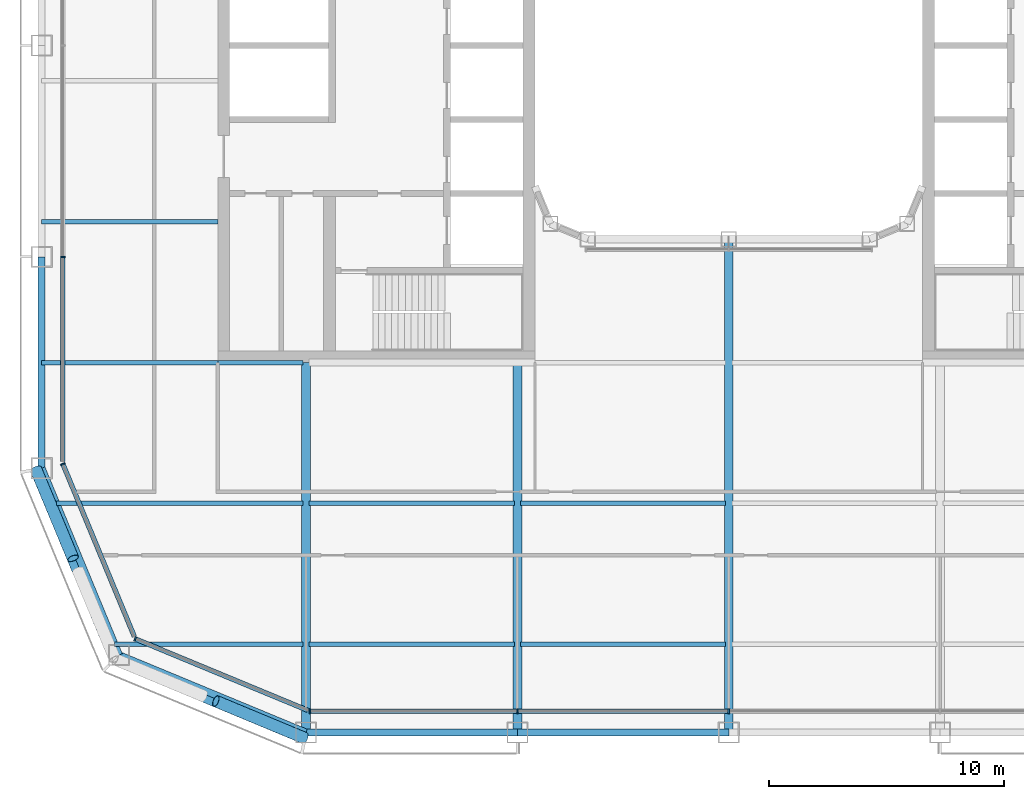
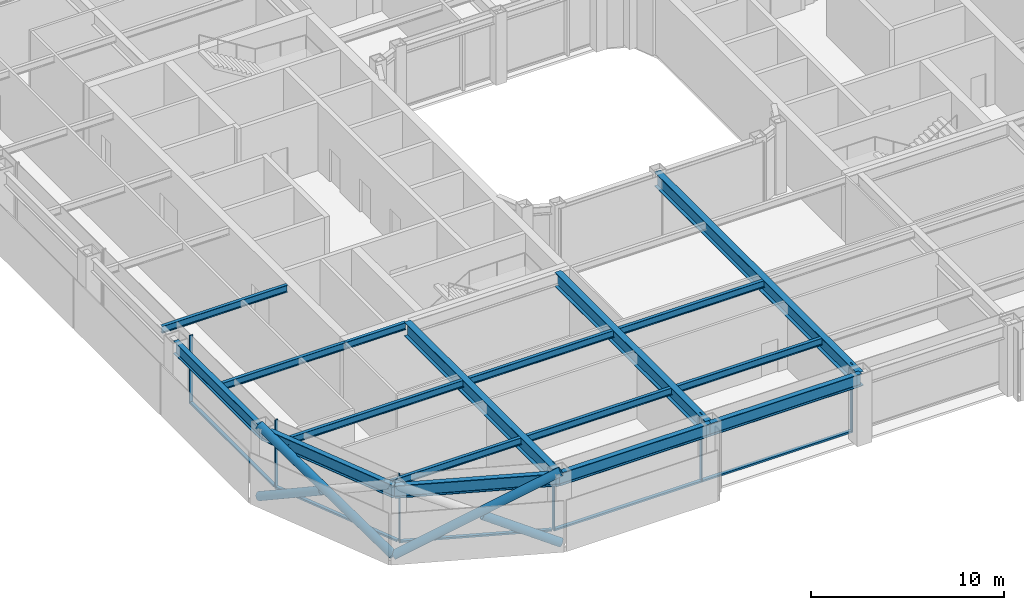
# One storey, part 2 of 21: 17 beams, 15 members, 4 elements without a shape of their own.
"""IFC4 building model written with IfcOpenShell, lengths in metres."""

from ifc_helpers import new_model, si_unit, direction, frame, origin, origin_2d, place, context, subcontext, project, spatial, rectangle, hollow_circle, i_section, extrude, material, layer, layer_set, material_profile, profile_set, type_object, element, aggregate, save


model = new_model("IFC4")

# Units and contexts
model_context = context("Model", 3, precision=1e-05, world=origin(), true_north=direction((0.0, 1.0)))
body_context = subcontext(model_context, "Body", "Model", "MODEL_VIEW")
ifc_project = project(units=[si_unit("LENGTHUNIT", "METRE"), si_unit("AREAUNIT", "SQUARE_METRE"), si_unit("VOLUMEUNIT", "CUBIC_METRE"), si_unit("PLANEANGLEUNIT", "RADIAN"), si_unit("MASSUNIT", "GRAM", prefix="KILO")], contexts=[model_context])

# Site, building, storey
site_placement = place(None, origin())
site = spatial("IfcSite", under=ifc_project, at=site_placement, CompositionType="ELEMENT")
building_placement = place(site_placement, origin())
building = spatial("IfcBuilding", under=site, at=building_placement, Name="Siwar Civic Tower", CompositionType="ELEMENT")
storey_placement = place(building_placement, frame((0.0, 0.0, 176.699951171875)))
storey = spatial("IfcBuildingStorey", under=building, at=storey_placement, Name="L38", CompositionType="ELEMENT", Elevation=176.699951171875)

# Curtain wall, members
ifc_material_1 = material(Name="Aluminium and glass", Category="aluminium")
ifc_layer_1 = layer(ifc_material_1, 0.199951171875)
ifc_layer_set_1 = layer_set([ifc_layer_1], Name="Aluminium and glass")
curtain_wall_type_1 = type_object("IfcCurtainWallType", Name="ENV-CW-B", PredefinedType="NOTDEFINED", material=ifc_layer_set_1)
curtain_wall_1_placement = place(storey_placement, origin())
curtain_wall_1 = element("IfcCurtainWall", 1, at=curtain_wall_1_placement, inside=storey, type_object=curtain_wall_type_1, Name="Curtain wall B S", PredefinedType="NOTDEFINED")
ifc_material_2 = material(Name="Aluminium 6063-T6", Category="aluminium")
ifc_material_profile_1 = material_profile(ifc_material_2, rectangle(XDim=0.199951171875, YDim=0.06494140625, at=origin_2d()), Name="AL 200x65")
ifc_profile_set_1 = profile_set([ifc_material_profile_1], Name="Aluminium 6063-T6")
member_type_1 = type_object("IfcMemberType", Name="ENV-MULLION-B", PredefinedType="MULLION", material=ifc_profile_set_1)
member_1_placement = place(storey_placement, frame((-17.821044921875, -28.35009765625, 0.0), z_axis=(0.0, 0.0, 1.0), x_axis=(0.0, 1.0, 0.0)))
member_1 = element("IfcMember", 2, at=member_1_placement, type_object=member_type_1, Name="Mullion B S 1", PredefinedType="MULLION", context=body_context, shape_type="SweptSolid", body=[
    extrude(rectangle(XDim=0.199951171875, YDim=0.06494140625, at=origin_2d()), origin(), (0.0, 0.0, 1.0), 4.300048828125),
])
member_2_placement = place(storey_placement, frame((-9.0, -28.35009765625, 0.0), z_axis=(0.0, 0.0, 1.0), x_axis=(0.0, 1.0, 0.0)))
member_2 = element("IfcMember", 3, at=member_2_placement, type_object=member_type_1, Name="Mullion B S 2", PredefinedType="MULLION", context=body_context, shape_type="SweptSolid", body=[
    extrude(rectangle(XDim=0.199951171875, YDim=0.06494140625, at=origin_2d()), origin(), (0.0, 0.0, 1.0), 4.300048828125),
])
member_3_placement = place(storey_placement, frame((0.0, -28.35009765625, 0.0), z_axis=(0.0, 0.0, 1.0), x_axis=(0.0, 1.0, 0.0)))
member_3 = element("IfcMember", 4, at=member_3_placement, type_object=member_type_1, Name="Mullion B S 3", PredefinedType="MULLION", context=body_context, shape_type="SweptSolid", body=[
    extrude(rectangle(XDim=0.199951171875, YDim=0.06494140625, at=origin_2d()), origin(), (0.0, 0.0, 1.0), 4.300048828125),
])

# Curtain wall, member
curtain_wall_2_placement = place(storey_placement, origin())
curtain_wall_2 = element("IfcCurtainWall", 5, at=curtain_wall_2_placement, inside=storey, type_object=curtain_wall_type_1, Name="Curtain wall B W", PredefinedType="NOTDEFINED")
member_4_placement = place(storey_placement, frame((-28.35009765625, -9.0, 0.0), z_axis=(0.0, 0.0, 1.0), x_axis=(1.0, 0.0, 0.0)))
member_4 = element("IfcMember", 6, at=member_4_placement, type_object=member_type_1, Name="Mullion B W 4", PredefinedType="MULLION", context=body_context, shape_type="SweptSolid", body=[
    extrude(rectangle(XDim=0.199951171875, YDim=0.06494140625, at=origin_2d()), origin(), (0.0, 0.0, 1.0), 4.300048828125),
])

ifc_material_3 = material(Name="Aluminium clad insulated panel", Category="aluminium")
ifc_layer_2 = layer(ifc_material_3, 0.199951171875)
ifc_layer_set_2 = layer_set([ifc_layer_2], Name="Aluminium clad insulated panel")
curtain_wall_type_2 = type_object("IfcCurtainWallType", Name="ENV-CW-BX", PredefinedType="NOTDEFINED", material=ifc_layer_set_2)
curtain_wall_3_placement = place(storey_placement, origin())
curtain_wall_3 = element("IfcCurtainWall", 7, at=curtain_wall_3_placement, inside=storey, type_object=curtain_wall_type_2, Name="Curtain wall B SW1", PredefinedType="NOTDEFINED")
member_5_placement = place(storey_placement, frame((-28.35009765625, -17.821044921875, 0.0), z_axis=(0.0, 0.0, 1.0), x_axis=(0.923879532511, 0.382683432365, 0.0)))
member_5 = element("IfcMember", 8, at=member_5_placement, type_object=member_type_1, Name="Mullion B SW1 1", PredefinedType="MULLION", context=body_context, shape_type="SweptSolid", body=[
    extrude(rectangle(XDim=0.199951171875, YDim=0.06494140625, at=origin_2d()), origin(), (0.0, 0.0, 1.0), 4.300048828125),
])

curtain_wall_4_placement = place(storey_placement, origin())
curtain_wall_4 = element("IfcCurtainWall", 9, at=curtain_wall_4_placement, inside=storey, type_object=curtain_wall_type_2, Name="Curtain wall B SW2", PredefinedType="NOTDEFINED")
member_6_placement = place(storey_placement, frame((-25.26611328125, -25.26611328125, 0.0), z_axis=(0.0, 0.0, 1.0), x_axis=(0.382683432365, 0.923879532511, 0.0)))
member_6 = element("IfcMember", 10, at=member_6_placement, type_object=member_type_1, Name="Mullion B SW2 1", PredefinedType="MULLION", context=body_context, shape_type="SweptSolid", body=[
    extrude(rectangle(XDim=0.199951171875, YDim=0.06494140625, at=origin_2d()), origin(), (0.0, 0.0, 1.0), 4.300048828125),
])

# Member
ifc_material_4 = material(Name="Aluminium 6063-T6", Category="aluminium")
ifc_material_profile_2 = material_profile(ifc_material_4, rectangle(XDim=0.199951171875, YDim=0.110107421875, at=origin_2d()), Name="AL 200x110")
ifc_profile_set_2 = profile_set([ifc_material_profile_2], Name="Aluminium 6063-T6")
member_type_2 = type_object("IfcMemberType", Name="ENV-TRANSOM-B", PredefinedType="USERDEFINED", material=ifc_profile_set_2)
member_7_placement = place(storey_placement, frame((-17.78857421875, -28.35009765625, 0.054931640625), z_axis=(1.0, 0.0, 0.0), x_axis=(0.0, 1.0, 0.0)))
member_7 = element("IfcMember", 11, at=member_7_placement, type_object=member_type_2, Name="Transom B S 1", ObjectType="TRANSOM", PredefinedType="USERDEFINED", context=body_context, shape_type="SweptSolid", body=[
    extrude(rectangle(XDim=0.199951171875, YDim=0.110107421875, at=origin_2d()), origin(), (0.0, 0.0, 1.0), 8.756103515625),
])

member_8_placement = place(storey_placement, frame((-8.967529296875, -28.35009765625, 0.054931640625), z_axis=(1.0, 0.0, 0.0), x_axis=(0.0, 1.0, 0.0)))
member_8 = element("IfcMember", 12, at=member_8_placement, type_object=member_type_2, Name="Transom B S 2", ObjectType="TRANSOM", PredefinedType="USERDEFINED", context=body_context, shape_type="SweptSolid", body=[
    extrude(rectangle(XDim=0.199951171875, YDim=0.110107421875, at=origin_2d()), origin(), (0.0, 0.0, 1.0), 8.93505859375),
])

aggregate(curtain_wall_1, [member_1, member_2, member_3, member_7, member_8])

member_9_placement = place(storey_placement, frame((-28.35009765625, -9.032470703125, 0.054931640625), z_axis=(0.0, -1.0, 0.0), x_axis=(1.0, 0.0, 0.0)))
member_9 = element("IfcMember", 13, at=member_9_placement, type_object=member_type_2, Name="Transom B W 4", ObjectType="TRANSOM", PredefinedType="USERDEFINED", context=body_context, shape_type="SweptSolid", body=[
    extrude(rectangle(XDim=0.199951171875, YDim=0.110107421875, at=origin_2d()), origin(), (0.0, 0.0, 1.0), 8.6748046875),
])

aggregate(curtain_wall_2, [member_4, member_9])

member_10_placement = place(storey_placement, frame((-28.337646484375, -17.85107421875, 0.054931640625), z_axis=(0.382699695651, -0.92387279587, 0.0), x_axis=(0.92387279587, 0.382699695651, 0.0)))
member_10 = element("IfcMember", 14, at=member_10_placement, type_object=member_type_2, Name="Transom B SW1 1", ObjectType="TRANSOM", PredefinedType="USERDEFINED", context=body_context, shape_type="SweptSolid", body=[
    extrude(rectangle(XDim=0.199951171875, YDim=0.110107421875, at=origin_2d()), origin(), (0.0, 0.0, 1.0), 7.912353515625),
])

aggregate(curtain_wall_3, [member_5, member_10])

member_11_placement = place(storey_placement, frame((-25.236083984375, -25.278564453125, 0.054931640625), z_axis=(0.923883705044, -0.382673358825, 0.0), x_axis=(0.382673358825, 0.923883705044, 0.0)))
member_11 = element("IfcMember", 15, at=member_11_placement, type_object=member_type_2, Name="Transom B SW2 1", ObjectType="TRANSOM", PredefinedType="USERDEFINED", context=body_context, shape_type="SweptSolid", body=[
    extrude(rectangle(XDim=0.199951171875, YDim=0.110107421875, at=origin_2d()), origin(), (0.0, 0.0, 1.0), 7.912353515625),
])

aggregate(curtain_wall_4, [member_6, member_11])

# Members
ifc_material_5 = material(Name="Steel S355", Category="steel")
ifc_material_profile_3 = material_profile(ifc_material_5, hollow_circle(Radius=0.25390625, WallThickness=0.02490234375, at=origin_2d()), Name="CHS508x25")
ifc_profile_set_3 = profile_set([ifc_material_profile_3], Name="Steel S355")
member_type_3 = type_object("IfcMemberType", Name="STR-BR-CHS508x25", PredefinedType="BRACE", material=ifc_profile_set_3)
member_12_placement = place(storey_placement, frame((-26.1318359375, -26.1318359375, 0.0), z_axis=(0.821142553604, -0.341671493852, 0.457149315816), x_axis=(0.384163874976, 0.923264922524, 0.0)))
element("IfcMember", 16, at=member_12_placement, inside=storey, type_object=member_type_3, Name="L38/brc/BSW1-17-0-1", PredefinedType="BRACE", context=body_context, shape_type="SweptSolid", body=[
    extrude(hollow_circle(Radius=0.25390625, WallThickness=0.02490234375, at=origin_2d()), origin(), (0.0, 0.0, 1.0), 9.843505859375),
])
member_13_placement = place(storey_placement, frame((-18.048828125, -29.4951171875, 0.0), z_axis=(-0.821126041429, 0.341677318012, 0.457174621391), x_axis=(-0.384176042158, -0.923259859753, 0.0)))
element("IfcMember", 17, at=member_13_placement, inside=storey, type_object=member_type_3, Name="L38/brc/BSW1-17-0-2", PredefinedType="BRACE", context=body_context, shape_type="SweptSolid", body=[
    extrude(hollow_circle(Radius=0.25390625, WallThickness=0.02490234375, at=origin_2d()), origin(), (0.0, 0.0, 1.0), 4.614501953125),
])
member_14_placement = place(storey_placement, frame((-26.1318359375, -26.1318359375, 0.0), z_axis=(-0.341671493852, 0.821142553604, 0.457149315816), x_axis=(-0.923264922524, -0.384163874976, 0.0)))
element("IfcMember", 18, at=member_14_placement, inside=storey, type_object=member_type_3, Name="L38/brc/BSW1-17-0-0", PredefinedType="BRACE", context=body_context, shape_type="SweptSolid", body=[
    extrude(hollow_circle(Radius=0.25390625, WallThickness=0.02490234375, at=origin_2d()), origin(), (0.0, 0.0, 1.0), 9.843505859375),
])
member_15_placement = place(storey_placement, frame((-29.4951171875, -18.048828125, 0.0), z_axis=(0.341677318012, -0.821126041429, 0.457174621391), x_axis=(0.923259859753, 0.384176042158, 0.0)))
element("IfcMember", 19, at=member_15_placement, inside=storey, type_object=member_type_3, Name="L38/brc/BSW1-17-0-4", PredefinedType="BRACE", context=body_context, shape_type="SweptSolid", body=[
    extrude(hollow_circle(Radius=0.25390625, WallThickness=0.02490234375, at=origin_2d()), origin(), (0.0, 0.0, 1.0), 4.614501953125),
])

# Beams
ifc_material_6 = material(Name="Steel S355", Category="steel")
ifc_material_profile_4 = material_profile(ifc_material_6, i_section(OverallWidth=0.18994140625, OverallDepth=0.449951171875, WebThickness=0.009521484375, FlangeThickness=0.0146484375, FilletRadius=0.02099609375, at=origin_2d()), Name="IPE450")
ifc_profile_set_4 = profile_set([ifc_material_profile_4], Name="Steel S355")
beam_type_1 = type_object("IfcBeamType", Name="STR-FB-IPE450", PredefinedType="JOIST", material=ifc_profile_set_4)
beam_1_placement = place(storey_placement, frame((-26.143310546875, -25.5, 4.074951171875), z_axis=(1.0, 0.0, 0.0), x_axis=(0.0, 1.0, 0.0)))
element("IfcBeam", 20, at=beam_1_placement, inside=storey, type_object=beam_type_1, Name="L38/bm/F001", PredefinedType="JOIST", context=body_context, shape_type="SweptSolid", body=[
    extrude(i_section(OverallWidth=0.18994140625, OverallDepth=0.449951171875, WebThickness=0.009521484375, FlangeThickness=0.0146484375, FilletRadius=0.02099609375, at=origin_2d()), origin(), (0.0, 0.0, 1.0), 8.013427734375),
])
for number, where, z_axis, x_axis, name in (
    (21, (-17.8701171875, -25.5, 4.074951171875), (1.0, 0.0, 0.0), (0.0, 1.0, 0.0), "L38/bm/F002"),
    (22, (-8.8701171875, -25.5, 4.074951171875), (1.0, 0.0, 0.0), (0.0, 1.0, 0.0), "L38/bm/F003"),
):
    element("IfcBeam", number, at=place(storey_placement, frame(where, z_axis=z_axis, x_axis=x_axis)), inside=storey, type_object=beam_type_1, Name=name, PredefinedType="JOIST", context=body_context, shape_type="SweptSolid", body=[
        extrude(i_section(OverallWidth=0.18994140625, OverallDepth=0.449951171875, WebThickness=0.009521484375, FlangeThickness=0.0146484375, FilletRadius=0.02099609375, at=origin_2d()), origin(), (0.0, 0.0, 1.0), 8.740234375),
    ])
beam_2_placement = place(storey_placement, frame((-28.628662109375, -19.5, 4.074951171875), z_axis=(1.0, 0.0, 0.0), x_axis=(0.0, 1.0, 0.0)))
element("IfcBeam", 23, at=beam_2_placement, inside=storey, type_object=beam_type_1, Name="L38/bm/F007", PredefinedType="JOIST", context=body_context, shape_type="SweptSolid", body=[
    extrude(i_section(OverallWidth=0.18994140625, OverallDepth=0.449951171875, WebThickness=0.009521484375, FlangeThickness=0.0146484375, FilletRadius=0.02099609375, at=origin_2d()), origin(), (0.0, 0.0, 1.0), 10.498779296875),
])
for number, where, z_axis, x_axis, name in (
    (24, (-17.8701171875, -19.5, 4.074951171875), (1.0, 0.0, 0.0), (0.0, 1.0, 0.0), "L38/bm/F008"),
    (25, (-8.8701171875, -19.5, 4.074951171875), (1.0, 0.0, 0.0), (0.0, 1.0, 0.0), "L38/bm/F009"),
):
    element("IfcBeam", number, at=place(storey_placement, frame(where, z_axis=z_axis, x_axis=x_axis)), inside=storey, type_object=beam_type_1, Name=name, PredefinedType="JOIST", context=body_context, shape_type="SweptSolid", body=[
        extrude(i_section(OverallWidth=0.18994140625, OverallDepth=0.449951171875, WebThickness=0.009521484375, FlangeThickness=0.0146484375, FilletRadius=0.02099609375, at=origin_2d()), origin(), (0.0, 0.0, 1.0), 8.740234375),
    ])
beam_3_placement = place(storey_placement, frame((-29.25, -13.5, 4.074951171875), z_axis=(1.0, 0.0, 0.0), x_axis=(0.0, 1.0, 0.0)))
element("IfcBeam", 26, at=beam_3_placement, inside=storey, type_object=beam_type_1, Name="L38/bm/F013", PredefinedType="JOIST", context=body_context, shape_type="SweptSolid", body=[
    extrude(i_section(OverallWidth=0.18994140625, OverallDepth=0.449951171875, WebThickness=0.009521484375, FlangeThickness=0.0146484375, FilletRadius=0.02099609375, at=origin_2d()), origin(), (0.0, 0.0, 1.0), 7.5),
])
beam_4_placement = place(storey_placement, frame((-21.75, -13.5, 4.074951171875), z_axis=(1.0, 0.0, 0.0), x_axis=(0.0, 1.0, 0.0)))
element("IfcBeam", 27, at=beam_4_placement, inside=storey, type_object=beam_type_1, Name="L38/bm/F014", PredefinedType="JOIST", context=body_context, shape_type="SweptSolid", body=[
    extrude(i_section(OverallWidth=0.18994140625, OverallDepth=0.449951171875, WebThickness=0.009521484375, FlangeThickness=0.0146484375, FilletRadius=0.02099609375, at=origin_2d()), origin(), (0.0, 0.0, 1.0), 3.6201171875),
])
beam_5_placement = place(storey_placement, frame((-29.25, -7.5, 4.074951171875), z_axis=(1.0, 0.0, 0.0), x_axis=(0.0, 1.0, 0.0)))
element("IfcBeam", 28, at=beam_5_placement, inside=storey, type_object=beam_type_1, Name="L38/bm/F021", PredefinedType="JOIST", context=body_context, shape_type="SweptSolid", body=[
    extrude(i_section(OverallWidth=0.18994140625, OverallDepth=0.449951171875, WebThickness=0.009521484375, FlangeThickness=0.0146484375, FilletRadius=0.02099609375, at=origin_2d()), origin(), (0.0, 0.0, 1.0), 7.5),
])
ifc_material_7 = material(Name="Steel S355", Category="steel")
ifc_material_profile_5 = material_profile(ifc_material_7, i_section(OverallWidth=0.3798828125, OverallDepth=0.89990234375, WebThickness=0.01611328125, FlangeThickness=0.035888671875, at=origin_2d()), Name="PG900x380x16x36")
ifc_profile_set_5 = profile_set([ifc_material_profile_5], Name="Steel S355")
beam_type_2 = type_object("IfcBeamType", Name="STR-PG-PG900x380x16x36", PredefinedType="BEAM", material=ifc_profile_set_5)
for number, where, z_axis, x_axis, name in (
    (29, (-18.0, -29.25, 3.85009765625), (0.0, 1.0, 0.0), (-1.0, 0.0, 0.0), "L38/bm/G01"),
    (30, (-9.0, -29.25, 3.85009765625), (0.0, 1.0, 0.0), (-1.0, 0.0, 0.0), "L38/bm/G03"),
):
    element("IfcBeam", number, at=place(storey_placement, frame(where, z_axis=z_axis, x_axis=x_axis)), inside=storey, type_object=beam_type_2, Name=name, PredefinedType="BEAM", context=body_context, shape_type="SweptSolid", body=[
        extrude(i_section(OverallWidth=0.3798828125, OverallDepth=0.89990234375, WebThickness=0.01611328125, FlangeThickness=0.035888671875, at=origin_2d()), origin(), (0.0, 0.0, 1.0), 15.75),
    ])
beam_6_placement = place(storey_placement, frame((0.0, -29.25, 3.85009765625), z_axis=(0.0, 1.0, 0.0), x_axis=(-1.0, 0.0, 0.0)))
element("IfcBeam", 31, at=beam_6_placement, inside=storey, type_object=beam_type_2, Name="L38/bm/G05", PredefinedType="BEAM", context=body_context, shape_type="SweptSolid", body=[
    extrude(i_section(OverallWidth=0.3798828125, OverallDepth=0.89990234375, WebThickness=0.01611328125, FlangeThickness=0.035888671875, at=origin_2d()), origin(), (0.0, 0.0, 1.0), 21.0),
])
ifc_material_8 = material(Name="Steel S355", Category="steel")
ifc_material_profile_6 = material_profile(ifc_material_8, i_section(OverallWidth=0.300048828125, OverallDepth=0.800048828125, WebThickness=0.017578125, FlangeThickness=0.032958984375, FilletRadius=0.030029296875, at=origin_2d()), Name="HEB800")
ifc_profile_set_6 = profile_set([ifc_material_profile_6], Name="Steel S355")
beam_type_3 = type_object("IfcBeamType", Name="STR-SB-HEB800", PredefinedType="BEAM", material=ifc_profile_set_6)
for number, where, z_axis, x_axis, name in (
    (32, (-18.0, -29.25, 3.900146484375), (1.0, 0.0, 0.0), (0.0, 1.0, 0.0), "L38/bm/SS-0"),
    (33, (-9.0, -29.25, 3.900146484375), (1.0, 0.0, 0.0), (0.0, 1.0, 0.0), "L38/bm/SS-1"),
    (34, (-29.25, -9.0, 3.900146484375), (0.0, -1.0, 0.0), (1.0, 0.0, 0.0), "L38/bm/SW-3"),
):
    element("IfcBeam", number, at=place(storey_placement, frame(where, z_axis=z_axis, x_axis=x_axis)), inside=storey, type_object=beam_type_3, Name=name, PredefinedType="BEAM", context=body_context, shape_type="SweptSolid", body=[
        extrude(i_section(OverallWidth=0.300048828125, OverallDepth=0.800048828125, WebThickness=0.017578125, FlangeThickness=0.032958984375, FilletRadius=0.030029296875, at=origin_2d()), origin(), (0.0, 0.0, 1.0), 9.0),
    ])
for number, where, z_axis, x_axis, name in (
    (35, (-29.25, -18.0, 3.900146484375), (0.382699877515, -0.923872720536, 0.0), (0.923872720536, 0.382699877515, 0.0), "L38/bm/SSW1-0"),
    (36, (-25.954833984375, -25.954833984375, 3.900146484375), (0.923872720536, -0.382699877515, 0.0), (0.382699877515, 0.923872720536, 0.0), "L38/bm/SSW2-0"),
):
    element("IfcBeam", number, at=place(storey_placement, frame(where, z_axis=z_axis, x_axis=x_axis)), inside=storey, type_object=beam_type_3, Name=name, PredefinedType="BEAM", context=body_context, shape_type="SweptSolid", body=[
        extrude(i_section(OverallWidth=0.300048828125, OverallDepth=0.800048828125, WebThickness=0.017578125, FlangeThickness=0.032958984375, FilletRadius=0.030029296875, at=origin_2d()), origin(), (0.0, 0.0, 1.0), 8.6103515625),
    ])

save(model, "model.ifc")
